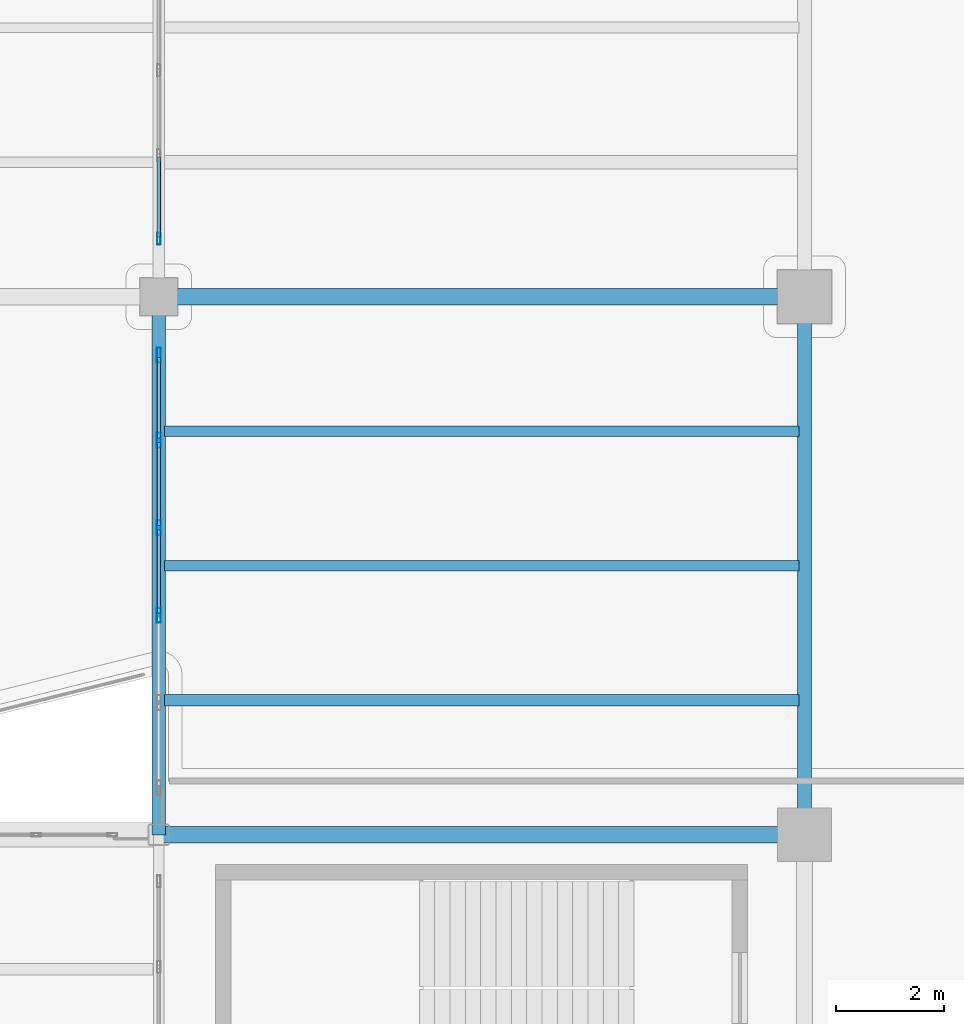
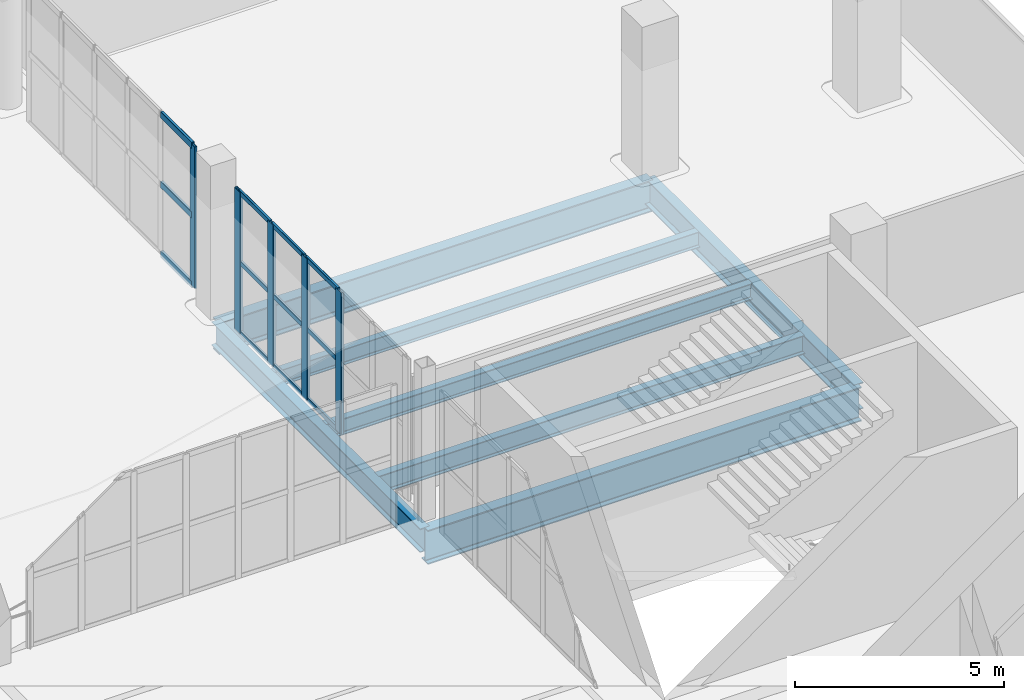
# One storey, part 28 of 108: 17 members, 7 beams, 2 elements without a shape of their own.
"""IFC4 building model written with IfcOpenShell, lengths in metres."""

from ifc_helpers import new_model, si_unit, direction, frame, origin, origin_2d, place, context, subcontext, project, spatial, hollow_rectangle, i_section, extrude, material, layer, layer_set, material_profile, profile_set, type_object, element, aggregate, save


model = new_model("IFC4")

# Units and contexts
model_context = context("Model", 3, precision=1e-05, world=origin(), true_north=direction((0.0, 1.0)))
body_context = subcontext(model_context, "Body", "Model", "MODEL_VIEW")
ifc_project = project(units=[si_unit("LENGTHUNIT", "METRE"), si_unit("AREAUNIT", "SQUARE_METRE"), si_unit("VOLUMEUNIT", "CUBIC_METRE"), si_unit("PLANEANGLEUNIT", "RADIAN"), si_unit("MASSUNIT", "GRAM", prefix="KILO")], contexts=[model_context])

# Site, building, storey
site_placement = place(None, origin())
site = spatial("IfcSite", under=ifc_project, at=site_placement, CompositionType="ELEMENT")
building_placement = place(site_placement, origin())
building = spatial("IfcBuilding", under=site, at=building_placement, Name="Brinegate Civic Arena", CompositionType="ELEMENT")
storey_placement = place(building_placement, frame((0.0, 0.0, 10.199951171875)))
storey = spatial("IfcBuildingStorey", under=building, at=storey_placement, Name="L02", CompositionType="ELEMENT", Elevation=10.199951171875)

# Curtain wall, member
ifc_material_1 = material(Name="Marine grade aluminium", Category="aluminium")
ifc_layer = layer(ifc_material_1, 0.199951171875, Name="Marine grade aluminium")
ifc_layer_set = layer_set([ifc_layer], Name="Marine grade aluminium")
curtain_wall_type = type_object("IfcCurtainWallType", Name="CW-BOWL-GLAZED-01", PredefinedType="USERDEFINED", material=ifc_layer_set)
curtain_wall_1_placement = place(storey_placement, origin())
curtain_wall_1 = element("IfcCurtainWall", 1, at=curtain_wall_1_placement, inside=storey, type_object=curtain_wall_type, Name="Curtain Wall CWA-085", ObjectType="GLAZED CURTAIN WALL", PredefinedType="USERDEFINED")
ifc_material_profile_1 = material_profile(ifc_material_1, hollow_rectangle(XDim=0.06494140625, YDim=0.219970703125, WallThickness=0.006103515625, InnerFilletRadius=0.00390625, OuterFilletRadius=0.008056640625, at=origin_2d()), Name="MUL65X220")
ifc_profile_set_1 = profile_set([ifc_material_profile_1], Name="Marine grade aluminium")
member_type_1 = type_object("IfcMemberType", Name="CW-MULLION-65X220", PredefinedType="MULLION", material=ifc_profile_set_1)
member_1_placement = place(storey_placement, frame((48.0, 63.077392578125, 0.0), z_axis=(0.0, 0.0, 1.0), x_axis=(-1.0, 0.0, 0.0)))
member_1 = element("IfcMember", 2, at=member_1_placement, type_object=member_type_1, Name="CWA-085 mullion 1", PredefinedType="MULLION", context=body_context, shape_type="SweptSolid", body=[
    extrude(hollow_rectangle(XDim=0.06494140625, YDim=0.219970703125, WallThickness=0.006103515625, InnerFilletRadius=0.00390625, OuterFilletRadius=0.008056640625, at=origin_2d()), origin(), (0.0, 0.0, 1.0), 4.150146484375),
])

# Curtain wall, members
curtain_wall_2_placement = place(storey_placement, origin())
curtain_wall_2 = element("IfcCurtainWall", 3, at=curtain_wall_2_placement, inside=storey, type_object=curtain_wall_type, Name="Curtain Wall CWA-083", ObjectType="GLAZED CURTAIN WALL", PredefinedType="USERDEFINED")
ifc_material_profile_2 = material_profile(ifc_material_1, hollow_rectangle(XDim=0.080078125, YDim=0.280029296875, WallThickness=0.007080078125, InnerFilletRadius=0.0048828125, OuterFilletRadius=0.010009765625, at=origin_2d()), Name="MUL80X280")
ifc_profile_set_2 = profile_set([ifc_material_profile_2], Name="Marine grade aluminium")
member_type_2 = type_object("IfcMemberType", Name="CW-MULLION-80X280", PredefinedType="MULLION", material=ifc_profile_set_2)
member_2_placement = place(storey_placement, frame((48.0, 56.081787109375, 0.0), z_axis=(0.0, 0.0, 1.0), x_axis=(-1.0, 0.0, 0.0)))
member_2 = element("IfcMember", 4, at=member_2_placement, type_object=member_type_2, Name="CWA-083 mullion 3", PredefinedType="MULLION", context=body_context, shape_type="SweptSolid", body=[
    extrude(hollow_rectangle(XDim=0.080078125, YDim=0.280029296875, WallThickness=0.007080078125, InnerFilletRadius=0.0048828125, OuterFilletRadius=0.010009765625, at=origin_2d()), origin(), (0.0, 0.0, 1.0), 4.150146484375),
])
member_3_placement = place(storey_placement, frame((48.0, 57.706298828125, 0.0), z_axis=(0.0, 0.0, 1.0), x_axis=(-1.0, 0.0, 0.0)))
member_3 = element("IfcMember", 5, at=member_3_placement, type_object=member_type_2, Name="CWA-083 mullion 4", PredefinedType="MULLION", context=body_context, shape_type="SweptSolid", body=[
    extrude(hollow_rectangle(XDim=0.080078125, YDim=0.280029296875, WallThickness=0.007080078125, InnerFilletRadius=0.0048828125, OuterFilletRadius=0.010009765625, at=origin_2d()), origin(), (0.0, 0.0, 1.0), 4.150146484375),
])
member_4_placement = place(storey_placement, frame((48.0, 59.33056640625, 0.0), z_axis=(0.0, 0.0, 1.0), x_axis=(-1.0, 0.0, 0.0)))
member_4 = element("IfcMember", 6, at=member_4_placement, type_object=member_type_2, Name="CWA-083 mullion 5", PredefinedType="MULLION", context=body_context, shape_type="SweptSolid", body=[
    extrude(hollow_rectangle(XDim=0.080078125, YDim=0.280029296875, WallThickness=0.007080078125, InnerFilletRadius=0.0048828125, OuterFilletRadius=0.010009765625, at=origin_2d()), origin(), (0.0, 0.0, 1.0), 4.150146484375),
])
member_5_placement = place(storey_placement, frame((48.0, 60.9150390625, 0.0), z_axis=(0.0, 0.0, 1.0), x_axis=(-1.0, 0.0, 0.0)))
member_5 = element("IfcMember", 7, at=member_5_placement, type_object=member_type_2, Name="CWA-083 mullion 6", PredefinedType="MULLION", context=body_context, shape_type="SweptSolid", body=[
    extrude(hollow_rectangle(XDim=0.080078125, YDim=0.280029296875, WallThickness=0.007080078125, InnerFilletRadius=0.0048828125, OuterFilletRadius=0.010009765625, at=origin_2d()), origin(), (0.0, 0.0, 1.0), 4.150146484375),
])
ifc_material_profile_3 = material_profile(ifc_material_1, hollow_rectangle(XDim=0.06494140625, YDim=0.139892578125, WallThickness=0.0048828125, InnerFilletRadius=0.00390625, OuterFilletRadius=0.008056640625, at=origin_2d()), Name="TRN65X140")
ifc_profile_set_3 = profile_set([ifc_material_profile_3], Name="Marine grade aluminium")
member_type_3 = type_object("IfcMemberType", Name="CW-TRANSOM-65X140", PredefinedType="USERDEFINED", material=ifc_profile_set_3)
member_6_placement = place(storey_placement, frame((48.0, 56.121826171875, 0.032470703125), z_axis=(0.0, 1.0, 0.0), x_axis=(-1.0, 0.0, 0.0)))
member_6 = element("IfcMember", 8, at=member_6_placement, type_object=member_type_3, Name="CWA-083 transom 3.1", ObjectType="TRANSOM", PredefinedType="USERDEFINED", context=body_context, shape_type="SweptSolid", body=[
    extrude(hollow_rectangle(XDim=0.06494140625, YDim=0.139892578125, WallThickness=0.0048828125, InnerFilletRadius=0.00390625, OuterFilletRadius=0.008056640625, at=origin_2d()), origin(), (0.0, 0.0, 1.0), 1.54443359375),
])
member_7_placement = place(storey_placement, frame((48.0, 56.121826171875, 2.074951171875), z_axis=(0.0, 1.0, 0.0), x_axis=(-1.0, 0.0, 0.0)))
member_7 = element("IfcMember", 9, at=member_7_placement, type_object=member_type_3, Name="CWA-083 transom 3.2", ObjectType="TRANSOM", PredefinedType="USERDEFINED", context=body_context, shape_type="SweptSolid", body=[
    extrude(hollow_rectangle(XDim=0.06494140625, YDim=0.139892578125, WallThickness=0.0048828125, InnerFilletRadius=0.00390625, OuterFilletRadius=0.008056640625, at=origin_2d()), origin(), (0.0, 0.0, 1.0), 1.54443359375),
])
member_8_placement = place(storey_placement, frame((48.0, 56.121826171875, 4.117431640625), z_axis=(0.0, 1.0, 0.0), x_axis=(-1.0, 0.0, 0.0)))
member_8 = element("IfcMember", 10, at=member_8_placement, type_object=member_type_3, Name="CWA-083 transom 3.3", ObjectType="TRANSOM", PredefinedType="USERDEFINED", context=body_context, shape_type="SweptSolid", body=[
    extrude(hollow_rectangle(XDim=0.06494140625, YDim=0.139892578125, WallThickness=0.0048828125, InnerFilletRadius=0.00390625, OuterFilletRadius=0.008056640625, at=origin_2d()), origin(), (0.0, 0.0, 1.0), 1.54443359375),
])
member_9_placement = place(storey_placement, frame((48.0, 57.74609375, 0.032470703125), z_axis=(0.0, 1.0, 0.0), x_axis=(-1.0, 0.0, 0.0)))
member_9 = element("IfcMember", 11, at=member_9_placement, type_object=member_type_3, Name="CWA-083 transom 4.1", ObjectType="TRANSOM", PredefinedType="USERDEFINED", context=body_context, shape_type="SweptSolid", body=[
    extrude(hollow_rectangle(XDim=0.06494140625, YDim=0.139892578125, WallThickness=0.0048828125, InnerFilletRadius=0.00390625, OuterFilletRadius=0.008056640625, at=origin_2d()), origin(), (0.0, 0.0, 1.0), 1.54443359375),
])
member_10_placement = place(storey_placement, frame((48.0, 57.74609375, 2.074951171875), z_axis=(0.0, 1.0, 0.0), x_axis=(-1.0, 0.0, 0.0)))
member_10 = element("IfcMember", 12, at=member_10_placement, type_object=member_type_3, Name="CWA-083 transom 4.2", ObjectType="TRANSOM", PredefinedType="USERDEFINED", context=body_context, shape_type="SweptSolid", body=[
    extrude(hollow_rectangle(XDim=0.06494140625, YDim=0.139892578125, WallThickness=0.0048828125, InnerFilletRadius=0.00390625, OuterFilletRadius=0.008056640625, at=origin_2d()), origin(), (0.0, 0.0, 1.0), 1.54443359375),
])
member_11_placement = place(storey_placement, frame((48.0, 57.74609375, 4.117431640625), z_axis=(0.0, 1.0, 0.0), x_axis=(-1.0, 0.0, 0.0)))
member_11 = element("IfcMember", 13, at=member_11_placement, type_object=member_type_3, Name="CWA-083 transom 4.3", ObjectType="TRANSOM", PredefinedType="USERDEFINED", context=body_context, shape_type="SweptSolid", body=[
    extrude(hollow_rectangle(XDim=0.06494140625, YDim=0.139892578125, WallThickness=0.0048828125, InnerFilletRadius=0.00390625, OuterFilletRadius=0.008056640625, at=origin_2d()), origin(), (0.0, 0.0, 1.0), 1.54443359375),
])
member_12_placement = place(storey_placement, frame((48.0, 59.37060546875, 0.032470703125), z_axis=(0.0, 1.0, 0.0), x_axis=(-1.0, 0.0, 0.0)))
member_12 = element("IfcMember", 14, at=member_12_placement, type_object=member_type_3, Name="CWA-083 transom 5.1", ObjectType="TRANSOM", PredefinedType="USERDEFINED", context=body_context, shape_type="SweptSolid", body=[
    extrude(hollow_rectangle(XDim=0.06494140625, YDim=0.139892578125, WallThickness=0.0048828125, InnerFilletRadius=0.00390625, OuterFilletRadius=0.008056640625, at=origin_2d()), origin(), (0.0, 0.0, 1.0), 1.50439453125),
])
member_13_placement = place(storey_placement, frame((48.0, 59.37060546875, 2.074951171875), z_axis=(0.0, 1.0, 0.0), x_axis=(-1.0, 0.0, 0.0)))
member_13 = element("IfcMember", 15, at=member_13_placement, type_object=member_type_3, Name="CWA-083 transom 5.2", ObjectType="TRANSOM", PredefinedType="USERDEFINED", context=body_context, shape_type="SweptSolid", body=[
    extrude(hollow_rectangle(XDim=0.06494140625, YDim=0.139892578125, WallThickness=0.0048828125, InnerFilletRadius=0.00390625, OuterFilletRadius=0.008056640625, at=origin_2d()), origin(), (0.0, 0.0, 1.0), 1.50439453125),
])
member_14_placement = place(storey_placement, frame((48.0, 59.37060546875, 4.117431640625), z_axis=(0.0, 1.0, 0.0), x_axis=(-1.0, 0.0, 0.0)))
member_14 = element("IfcMember", 16, at=member_14_placement, type_object=member_type_3, Name="CWA-083 transom 5.3", ObjectType="TRANSOM", PredefinedType="USERDEFINED", context=body_context, shape_type="SweptSolid", body=[
    extrude(hollow_rectangle(XDim=0.06494140625, YDim=0.139892578125, WallThickness=0.0048828125, InnerFilletRadius=0.00390625, OuterFilletRadius=0.008056640625, at=origin_2d()), origin(), (0.0, 0.0, 1.0), 1.50439453125),
])
aggregate(curtain_wall_2, [member_2, member_3, member_4, member_5, member_6, member_7, member_8, member_9, member_10, member_11, member_12, member_13, member_14])

# Member
ifc_material_profile_4 = material_profile(ifc_material_1, hollow_rectangle(XDim=0.074951171875, YDim=0.18994140625, WallThickness=0.006103515625, InnerFilletRadius=0.00390625, OuterFilletRadius=0.008056640625, at=origin_2d()), Name="TRN75X190")
ifc_profile_set_4 = profile_set([ifc_material_profile_4], Name="Marine grade aluminium")
member_type_4 = type_object("IfcMemberType", Name="CW-TRANSOM-75X190", PredefinedType="USERDEFINED", material=ifc_profile_set_4)
member_15_placement = place(storey_placement, frame((48.0, 63.110107421875, 0.03759765625), z_axis=(0.0, 1.0, 0.0), x_axis=(-1.0, 0.0, 0.0)))
member_15 = element("IfcMember", 17, at=member_15_placement, type_object=member_type_4, Name="CWA-085 transom 1.1", ObjectType="TRANSOM", PredefinedType="USERDEFINED", context=body_context, shape_type="SweptSolid", body=[
    extrude(hollow_rectangle(XDim=0.074951171875, YDim=0.18994140625, WallThickness=0.006103515625, InnerFilletRadius=0.00390625, OuterFilletRadius=0.008056640625, at=origin_2d()), origin(), (0.0, 0.0, 1.0), 1.484375),
])

member_16_placement = place(storey_placement, frame((48.0, 63.110107421875, 2.074951171875), z_axis=(0.0, 1.0, 0.0), x_axis=(-1.0, 0.0, 0.0)))
member_16 = element("IfcMember", 18, at=member_16_placement, type_object=member_type_4, Name="CWA-085 transom 1.2", ObjectType="TRANSOM", PredefinedType="USERDEFINED", context=body_context, shape_type="SweptSolid", body=[
    extrude(hollow_rectangle(XDim=0.074951171875, YDim=0.18994140625, WallThickness=0.006103515625, InnerFilletRadius=0.00390625, OuterFilletRadius=0.008056640625, at=origin_2d()), origin(), (0.0, 0.0, 1.0), 1.484375),
])

member_17_placement = place(storey_placement, frame((48.0, 63.110107421875, 4.112548828125), z_axis=(0.0, 1.0, 0.0), x_axis=(-1.0, 0.0, 0.0)))
member_17 = element("IfcMember", 19, at=member_17_placement, type_object=member_type_4, Name="CWA-085 transom 1.3", ObjectType="TRANSOM", PredefinedType="USERDEFINED", context=body_context, shape_type="SweptSolid", body=[
    extrude(hollow_rectangle(XDim=0.074951171875, YDim=0.18994140625, WallThickness=0.006103515625, InnerFilletRadius=0.00390625, OuterFilletRadius=0.008056640625, at=origin_2d()), origin(), (0.0, 0.0, 1.0), 1.484375),
])

aggregate(curtain_wall_1, [member_1, member_15, member_16, member_17])

# Beams
ifc_material_2 = material(Name="Steel S355", Category="steel")
ifc_material_profile_5 = material_profile(ifc_material_2, i_section(OverallWidth=0.300048828125, OverallDepth=1.0, WebThickness=0.01904296875, FlangeThickness=0.031982421875, FilletRadius=0.02392578125, at=origin_2d()), Name="W1000X321")
ifc_profile_set_5 = profile_set([ifc_material_profile_5], Name="Steel S355")
beam_type_1 = type_object("IfcBeamType", Name="GIRDER-W1000X321", PredefinedType="BEAM", material=ifc_profile_set_5)
beam_1_placement = place(storey_placement, frame((48.0, 52.0, -0.829833984375), z_axis=(1.0, 0.0, 0.0), x_axis=(0.0, 1.0, 0.0)))
element("IfcBeam", 20, at=beam_1_placement, inside=storey, type_object=beam_type_1, Name="Floor Girder BM-L02-GX-04-05", PredefinedType="BEAM", context=body_context, shape_type="SweptSolid", body=[
    extrude(i_section(OverallWidth=0.300048828125, OverallDepth=1.0, WebThickness=0.01904296875, FlangeThickness=0.031982421875, FilletRadius=0.02392578125, at=origin_2d()), origin(), (0.0, 0.0, 1.0), 12.0),
])
ifc_material_profile_6 = material_profile(ifc_material_2, i_section(OverallWidth=0.26806640625, OverallDepth=0.77001953125, WebThickness=0.01611328125, FlangeThickness=0.02490234375, FilletRadius=0.02001953125, at=origin_2d()), Name="W760X196")
ifc_profile_set_6 = profile_set([ifc_material_profile_6], Name="Steel S355")
beam_type_2 = type_object("IfcBeamType", Name="GIRDER-W760X196", PredefinedType="BEAM", material=ifc_profile_set_6)
beam_2_placement = place(storey_placement, frame((60.0, 52.0, -0.71484375), z_axis=(0.0, 1.0, 0.0), x_axis=(-1.0, 0.0, 0.0)))
element("IfcBeam", 21, at=beam_2_placement, inside=storey, type_object=beam_type_2, Name="Floor Girder BM-L02-GY-05-05", PredefinedType="BEAM", context=body_context, shape_type="SweptSolid", body=[
    extrude(i_section(OverallWidth=0.26806640625, OverallDepth=0.77001953125, WebThickness=0.01611328125, FlangeThickness=0.02490234375, FilletRadius=0.02001953125, at=origin_2d()), origin(), (0.0, 0.0, 1.0), 10.0),
])
ifc_material_profile_7 = material_profile(ifc_material_2, i_section(OverallWidth=0.30810546875, OverallDepth=0.927001953125, WebThickness=0.01904296875, FlangeThickness=0.031982421875, FilletRadius=0.02392578125, at=origin_2d()), Name="W920X289")
ifc_profile_set_7 = profile_set([ifc_material_profile_7], Name="Steel S355")
beam_type_3 = type_object("IfcBeamType", Name="GIRDER-W920X289", PredefinedType="BEAM", material=ifc_profile_set_7)
beam_3_placement = place(storey_placement, frame((48.0, 62.0, -0.79296875), z_axis=(1.0, 0.0, 0.0), x_axis=(0.0, 1.0, 0.0)))
element("IfcBeam", 22, at=beam_3_placement, inside=storey, type_object=beam_type_3, Name="Floor Girder BM-L02-GX-04-06", PredefinedType="BEAM", context=body_context, shape_type="SweptSolid", body=[
    extrude(i_section(OverallWidth=0.30810546875, OverallDepth=0.927001953125, WebThickness=0.01904296875, FlangeThickness=0.031982421875, FilletRadius=0.02392578125, at=origin_2d()), origin(), (0.0, 0.0, 1.0), 12.0),
])
ifc_material_profile_8 = material_profile(ifc_material_2, i_section(OverallWidth=0.195068359375, OverallDepth=0.472900390625, WebThickness=0.011962890625, FlangeThickness=0.02197265625, FilletRadius=0.014892578125, at=origin_2d()), Name="W460X113")
ifc_profile_set_8 = profile_set([ifc_material_profile_8], Name="Steel S355")
beam_type_4 = type_object("IfcBeamType", Name="JOIST-W460X113", PredefinedType="JOIST", material=ifc_profile_set_8)
beam_4_placement = place(storey_placement, frame((48.10595703125, 57.0, -0.56591796875), z_axis=(1.0, 0.0, 0.0), x_axis=(0.0, 1.0, 0.0)))
element("IfcBeam", 23, at=beam_4_placement, inside=storey, type_object=beam_type_4, Name="Secondary Joist BM-L02-JX-04-05-2", PredefinedType="JOIST", context=body_context, shape_type="SweptSolid", body=[
    extrude(i_section(OverallWidth=0.195068359375, OverallDepth=0.472900390625, WebThickness=0.011962890625, FlangeThickness=0.02197265625, FilletRadius=0.014892578125, at=origin_2d()), origin(), (0.0, 0.0, 1.0), 11.7880859375),
])
ifc_material_profile_9 = material_profile(ifc_material_2, i_section(OverallWidth=0.19091796875, OverallDepth=0.4599609375, WebThickness=0.010009765625, FlangeThickness=0.01611328125, FilletRadius=0.014892578125, at=origin_2d()), Name="W460X82")
ifc_profile_set_9 = profile_set([ifc_material_profile_9], Name="Steel S355")
beam_type_5 = type_object("IfcBeamType", Name="JOIST-W460X82", PredefinedType="JOIST", material=ifc_profile_set_9)
beam_5_placement = place(storey_placement, frame((48.10595703125, 59.5, -0.56005859375), z_axis=(1.0, 0.0, 0.0), x_axis=(0.0, 1.0, 0.0)))
element("IfcBeam", 24, at=beam_5_placement, inside=storey, type_object=beam_type_5, Name="Secondary Joist BM-L02-JX-04-05-3", PredefinedType="JOIST", context=body_context, shape_type="SweptSolid", body=[
    extrude(i_section(OverallWidth=0.19091796875, OverallDepth=0.4599609375, WebThickness=0.010009765625, FlangeThickness=0.01611328125, FilletRadius=0.014892578125, at=origin_2d()), origin(), (0.0, 0.0, 1.0), 11.7880859375),
])
ifc_material_profile_10 = material_profile(ifc_material_2, i_section(OverallWidth=0.2109375, OverallDepth=0.5390625, WebThickness=0.011962890625, FlangeThickness=0.01904296875, FilletRadius=0.01611328125, at=origin_2d()), Name="W530X109")
ifc_profile_set_10 = profile_set([ifc_material_profile_10], Name="Steel S355")
beam_type_6 = type_object("IfcBeamType", Name="JOIST-W530X109", PredefinedType="JOIST", material=ifc_profile_set_10)
beam_6_placement = place(storey_placement, frame((48.10595703125, 54.5, -0.598876953125), z_axis=(1.0, 0.0, 0.0), x_axis=(0.0, 1.0, 0.0)))
element("IfcBeam", 25, at=beam_6_placement, inside=storey, type_object=beam_type_6, Name="Secondary Joist BM-L02-JX-04-05-1", PredefinedType="JOIST", context=body_context, shape_type="SweptSolid", body=[
    extrude(i_section(OverallWidth=0.2109375, OverallDepth=0.5390625, WebThickness=0.011962890625, FlangeThickness=0.01904296875, FilletRadius=0.01611328125, at=origin_2d()), origin(), (0.0, 0.0, 1.0), 11.7880859375),
])
ifc_material_profile_11 = material_profile(ifc_material_2, i_section(OverallWidth=0.256103515625, OverallDepth=0.693115234375, WebThickness=0.014892578125, FlangeThickness=0.02392578125, FilletRadius=0.01806640625, at=origin_2d()), Name="W690X170")
ifc_profile_set_11 = profile_set([ifc_material_profile_11], Name="Steel S355")
beam_type_7 = type_object("IfcBeamType", Name="SPANDREL-W690X170", PredefinedType="SPANDREL", material=ifc_profile_set_11)
beam_7_placement = place(storey_placement, frame((48.0, 52.0, -0.676025390625), z_axis=(0.0, 1.0, 0.0), x_axis=(-1.0, 0.0, 0.0)))
element("IfcBeam", 26, at=beam_7_placement, inside=storey, type_object=beam_type_7, Name="Floor Girder BM-L02-GY-04-05", PredefinedType="SPANDREL", context=body_context, shape_type="SweptSolid", body=[
    extrude(i_section(OverallWidth=0.256103515625, OverallDepth=0.693115234375, WebThickness=0.014892578125, FlangeThickness=0.02392578125, FilletRadius=0.01806640625, at=origin_2d()), origin(), (0.0, 0.0, 1.0), 10.0),
])

save(model, "model.ifc")
